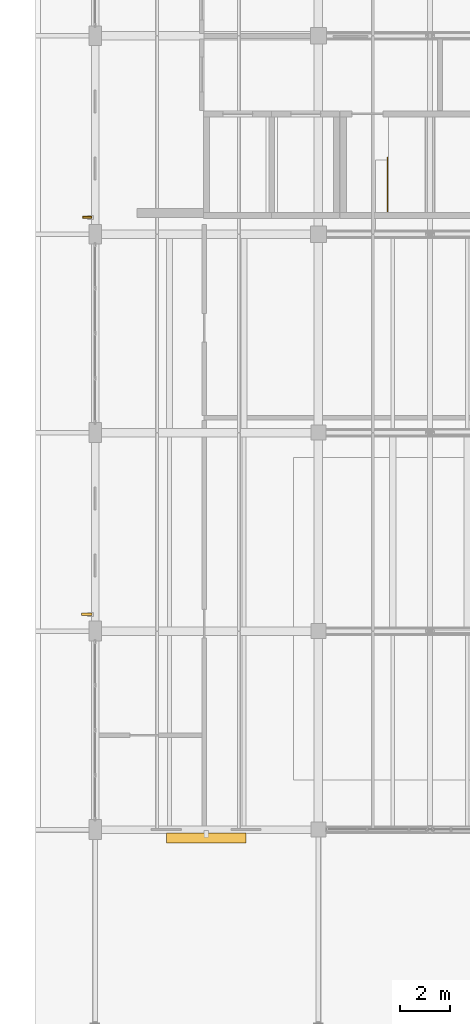
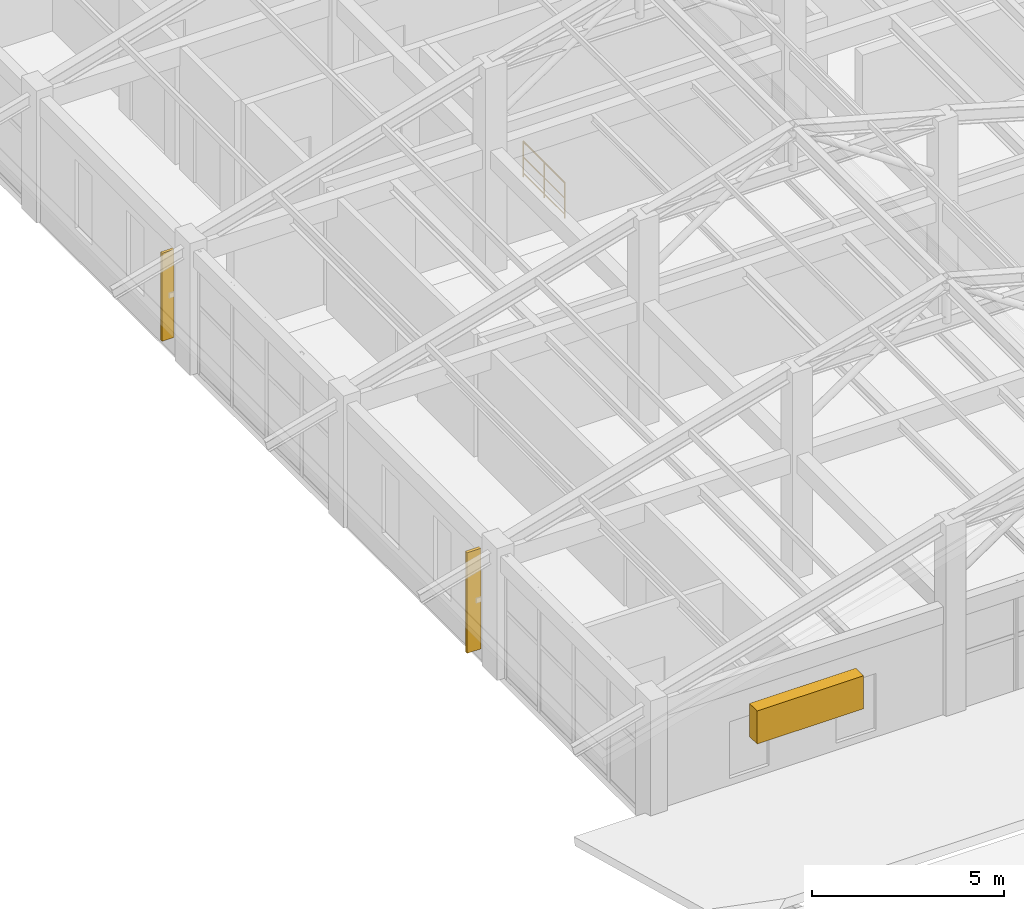
# One storey, part 54 of 58: 3 shading devices, 1 railing.
"""IFC4 building model written with IfcOpenShell, lengths in metres."""

import ifcopenshell
import ifcopenshell.guid

model = None  # the IFC model being written
_history = None  # IfcOwnerHistory: only IFC2X3 demands one
_inside = {}  # id of a spatial element -> (the spatial element, [elements in it])
_under = {}  # id of a project, library or spatial element -> (it, [spatial elements below it])
_declared = {}  # id of a project -> (the project, [libraries it declares])
_typed = {}  # id of a type object -> (the type object, [elements of that type])
_made_of = {}  # id of a material, layer set ... -> (it, [elements and type objects made of it])


def new_model(schema):
    """Start an empty IFC model of exactly this schema.

    Asked for "IFC4X3", IfcOpenShell would pick the latest addendum, in which some entities
    have other attributes; the version numbers below select the first issue.
    IFC2X3 requires an IfcOwnerHistory on every rooted entity: one is made here for all.
    """
    global model, _history
    if schema == "IFC4X3":
        model = ifcopenshell.file(schema_version=(4, 3, 0, 0))
    else:
        model = ifcopenshell.file(schema=schema)
    _inside.clear()
    _under.clear()
    _declared.clear()
    _typed.clear()
    _made_of.clear()
    _history = None
    if model.schema == "IFC2X3":
        org = make("IfcOrganization", Name="unknown")
        user = make(
            "IfcPersonAndOrganization",
            ThePerson=make("IfcPerson", FamilyName="unknown"),
            TheOrganization=org,
        )
        app = make(
            "IfcApplication",
            ApplicationDeveloper=org,
            Version="unknown",
            ApplicationFullName="unknown",
            ApplicationIdentifier="unknown",
        )
        _history = make(
            "IfcOwnerHistory",
            OwningUser=user,
            OwningApplication=app,
            ChangeAction="ADDED",
            CreationDate=0,
        )
    return model


def make(cls, **values):
    """One entity of the class cls with the attributes given. An attribute that is None is left unset."""
    return model.create_entity(
        cls, **{name: value for name, value in values.items() if value is not None}
    )


def rooted(cls, **values):
    """An entity with a GlobalId (a new one), such as an element, a storey or a relation."""
    return make(cls, GlobalId=ifcopenshell.guid.new(), OwnerHistory=_history, **values)


def si_unit(unit_type, name, prefix=None):
    """IfcSIUnit, for example si_unit("LENGTHUNIT", "METRE", prefix="MILLI")."""
    return make("IfcSIUnit", UnitType=unit_type, Prefix=prefix, Name=name)


def derived_unit(unit_type, elements):
    """IfcDerivedUnit: a product of units, each with its exponent."""
    return make(
        "IfcDerivedUnit",
        Elements=[
            make("IfcDerivedUnitElement", Unit=unit, Exponent=power)
            for unit, power in elements
        ],
        UnitType=unit_type,
    )


def assignment(units):
    """IfcUnitAssignment: the units of a project."""
    return None if units is None else make("IfcUnitAssignment", Units=units)


def point(xyz):
    """IfcCartesianPoint."""
    return None if xyz is None else make("IfcCartesianPoint", Coordinates=xyz)


def direction(xyz):
    """IfcDirection."""
    return None if xyz is None else make("IfcDirection", DirectionRatios=xyz)


def frame(location, z_axis=None, x_axis=None):
    """IfcAxis2Placement3D, a coordinate frame: its origin and axes. An axis left out is left unset."""
    return make(
        "IfcAxis2Placement3D",
        Location=point(location),
        Axis=direction(z_axis),
        RefDirection=direction(x_axis),
    )


def frame_2d(location, x_axis=None):
    """IfcAxis2Placement2D, a coordinate frame in the plane: its origin and x axis."""
    return make(
        "IfcAxis2Placement2D", Location=point(location), RefDirection=direction(x_axis)
    )


def origin():
    """The frame at (0, 0, 0) with its axes left unset."""
    return frame((0.0, 0.0, 0.0))


def origin_2d():
    """The frame at (0, 0) in the plane with its x axis left unset."""
    return frame_2d((0.0, 0.0))


def place(relative_to, where):
    """IfcLocalPlacement: puts the frame where relative to a parent placement (None: the world)."""
    return make(
        "IfcLocalPlacement", PlacementRelTo=relative_to, RelativePlacement=where
    )


def context(
    kind, dimensions, precision=None, world=None, true_north=None, identifier=None
):
    """IfcGeometricRepresentationContext, for example the 3D "Model" context."""
    return make(
        "IfcGeometricRepresentationContext",
        ContextIdentifier=identifier,
        ContextType=kind,
        CoordinateSpaceDimension=dimensions,
        Precision=precision,
        WorldCoordinateSystem=world,
        TrueNorth=true_north,
    )


def subcontext(parent, identifier, kind, view, scale=None):
    """IfcGeometricRepresentationSubContext, for example "Body" below "Model"."""
    return make(
        "IfcGeometricRepresentationSubContext",
        ContextIdentifier=identifier,
        ContextType=kind,
        ParentContext=parent,
        TargetScale=scale,
        TargetView=view,
    )


def project(units=None, contexts=None):
    """IfcProject with its units and contexts."""
    return rooted(
        "IfcProject",
        Name="project",
        RepresentationContexts=contexts,
        UnitsInContext=assignment(units),
    )


def spatial(cls, under=None, at=None, **own):
    """A site, building, storey or space (cls), placed at a placement, below another one or the project."""
    s = rooted(cls, ObjectPlacement=at, **own)
    if under is not None:
        _under.setdefault(under.id(), (under, []))[1].append(s)
    return s


def profile(cls, at=None, kind="AREA", **sizes):
    """A parametric profile (cls). Its sizes go by their IFC names, for example OverallWidth=200.0."""
    return make(cls, ProfileType=kind, Position=at, **sizes)


def rectangle(**sizes):
    """IfcRectangleProfileDef."""
    return profile("IfcRectangleProfileDef", **sizes)


def circle(**sizes):
    """IfcCircleProfileDef."""
    return profile("IfcCircleProfileDef", **sizes)


def extrude(swept, where, along, depth):
    """IfcExtrudedAreaSolid: the profile swept, set in the frame where, extruded along a direction by depth."""
    return make(
        "IfcExtrudedAreaSolid",
        SweptArea=swept,
        Position=where,
        ExtrudedDirection=direction(along),
        Depth=depth,
    )


def shape(context_of_items, identifier, shape_type, items):
    """IfcShapeRepresentation: the items that make up one representation, for example the "Body"."""
    return make(
        "IfcShapeRepresentation",
        ContextOfItems=context_of_items,
        RepresentationIdentifier=identifier,
        RepresentationType=shape_type,
        Items=items,
    )


def material(Name=None, Category=None):
    """IfcMaterial."""
    return make("IfcMaterial", Name=Name, Category=Category)


def made_of(thing, what):
    """Note that an element or type object is made of a material, layer set ...; save() writes the relation."""
    if what is not None:
        _made_of.setdefault(what.id(), (what, []))[1].append(thing)
    return thing


def type_object(cls, material=None, **own):
    """A type object (cls), such as IfcWallType, which elements share."""
    return made_of(rooted(cls, **own), material)


def element(
    cls,
    number,
    at=None,
    inside=None,
    cuts=None,
    type_object=None,
    material=None,
    context=None,
    identifier="Body",
    shape_type=None,
    held_by="IfcProductDefinitionShape",
    body=None,
    shapes=None,
    **own,
):
    """One element of the class cls, such as IfcWall. Its Tag is "e" and its number.

    at: its placement. inside: the storey or other place that contains it. cuts: it is an
    opening in that element (IfcRelVoidsElement). A single representation is given by context,
    identifier, shape_type and body (its items); several are given by shapes. held_by: the class
    of the entity that holds the representations. save() writes the other relations.
    """
    e = rooted(cls, Tag="e%d" % number, ObjectPlacement=at, **own)
    if body is not None:
        shapes = [shape(context, identifier, shape_type, body)]
    if shapes is not None:
        e.Representation = make(held_by, Representations=shapes)
    if inside is not None:
        _inside.setdefault(inside.id(), (inside, []))[1].append(e)
    if cuts is not None:
        rooted(
            "IfcRelVoidsElement", RelatingBuildingElement=cuts, RelatedOpeningElement=e
        )
    if type_object is not None:
        _typed.setdefault(type_object.id(), (type_object, []))[1].append(e)
    return made_of(e, material)


def aggregate(whole, parts):
    """IfcRelAggregates: a whole, such as a stair, and the parts it consists of."""
    return rooted("IfcRelAggregates", RelatingObject=whole, RelatedObjects=parts)


def save(model, path):
    """Write the relations noted so far, then the file.

    IfcRelAggregates (storeys below a building ...), IfcRelContainedInSpatialStructure (elements
    in a storey), IfcRelDefinesByType, IfcRelAssociatesMaterial and IfcRelDeclares: one each for
    every whole, place, type object, material and project.
    """
    for whole, parts in _under.values():
        aggregate(whole, parts)
    for where, things in _inside.values():
        rooted(
            "IfcRelContainedInSpatialStructure",
            RelatedElements=things,
            RelatingStructure=where,
        )
    for kind, things in _typed.values():
        rooted("IfcRelDefinesByType", RelatedObjects=things, RelatingType=kind)
    for what, things in _made_of.values():
        rooted("IfcRelAssociatesMaterial", RelatedObjects=things, RelatingMaterial=what)
    for by, libraries in _declared.values():
        rooted("IfcRelDeclares", RelatingContext=by, RelatedDefinitions=libraries)
    model.write(path)


model = new_model("IFC4")

# Units and contexts
model_context = context("Model", 3, precision=1e-05, world=origin(), true_north=direction((0.0, 1.0)))
body_context = subcontext(model_context, "Body", "Model", "MODEL_VIEW")
ifc_project = project(units=[si_unit("LENGTHUNIT", "METRE"), si_unit("AREAUNIT", "SQUARE_METRE"), si_unit("VOLUMEUNIT", "CUBIC_METRE"), si_unit("PLANEANGLEUNIT", "RADIAN"), si_unit("MASSUNIT", "GRAM", prefix="KILO"), derived_unit("THERMALTRANSMITTANCEUNIT", [(si_unit("MASSUNIT", "GRAM", prefix="KILO"), 1), (si_unit("TIMEUNIT", "SECOND"), -3), (si_unit("THERMODYNAMICTEMPERATUREUNIT", "KELVIN"), -1)])], contexts=[model_context])

# Site, building, storey
site_placement = place(None, origin())
site = spatial("IfcSite", under=ifc_project, at=site_placement, CompositionType="ELEMENT")
building_placement = place(site_placement, origin())
building = spatial("IfcBuilding", under=site, at=building_placement, Name="Zhenchuan Archway Interchange", CompositionType="ELEMENT")
storey_placement = place(building_placement, frame((0.0, 0.0, 22.800048828125)))
storey = spatial("IfcBuildingStorey", under=building, at=storey_placement, Name="L05", CompositionType="ELEMENT", Elevation=22.800048828125)

# Railing
ifc_material_1 = material(Name="Painted Galvanised Steel", Category="steel")
railing_type = type_object("IfcRailingType", Name="RL_GUARD_1150", PredefinedType="GUARDRAIL", material=ifc_material_1)
railing_placement = place(storey_placement, frame((155.784912109375, 48.9150390625, 0.0)))
element("IfcRailing", 1, at=railing_placement, inside=storey, type_object=railing_type, Name="Stair ST-O2 top landing guard (L05)", PredefinedType="GUARDRAIL", context=body_context, shape_type="SweptSolid", body=[
    extrude(circle(Radius=0.02392578125, at=origin_2d()), frame((0.0, 0.0, 1.1259765625), z_axis=(0.0, 1.0, 0.0), x_axis=(-1.0, 0.0, 0.0)), (0.0, 0.0, 1.0), 2.169921875),
    extrude(circle(Radius=0.01611328125, at=origin_2d()), frame((0.0, 0.0, 0.63232421875), z_axis=(0.0, 1.0, 0.0), x_axis=(-1.0, 0.0, 0.0)), (0.0, 0.0, 1.0), 2.169921875),
    extrude(circle(Radius=0.01611328125, at=origin_2d()), frame((0.0, 0.0, 0.1201171875), z_axis=(0.0, 1.0, 0.0), x_axis=(-1.0, 0.0, 0.0)), (0.0, 0.0, 1.0), 2.169921875),
    extrude(circle(Radius=0.02099609375, at=origin_2d()), origin(), (0.0, 0.0, 1.0), 1.1259765625),
    extrude(circle(Radius=0.02099609375, at=origin_2d()), frame((0.0, 1.0849609375, 0.0)), (0.0, 0.0, 1.0), 1.1259765625),
    extrude(circle(Radius=0.02099609375, at=origin_2d()), frame((0.0, 2.169921875, 0.0)), (0.0, 0.0, 1.0), 1.1259765625),
])

# Shading devices
ifc_material_2 = material(Name="Terracotta Ceramic", Category="masonry")
shading_device_type_1 = type_object("IfcShadingDeviceType", Name="SHD_FIN_1", PredefinedType="USERDEFINED", material=ifc_material_2)
shading_device_1_placement = place(storey_placement, frame((143.656005859375, 32.677978515625, 0.35009765625), z_axis=(0.0, 0.0, 1.0), x_axis=(0.0, 1.0, 0.0)))
element("IfcShadingDevice", 2, at=shading_device_1_placement, inside=storey, type_object=shading_device_type_1, Name="Terracotta vertical solar fin L05-141", ObjectType="FINS", PredefinedType="USERDEFINED", context=body_context, shape_type="SweptSolid", body=[
    extrude(rectangle(XDim=0.090087890625, YDim=0.419921875, at=origin_2d()), origin(), (0.0, 0.0, 1.0), 3.199951171875),
])
shading_device_type_2 = type_object("IfcShadingDeviceType", Name="SHD_FIN_2", PredefinedType="USERDEFINED", material=ifc_material_2)
shading_device_2_placement = place(storey_placement, frame((143.68603515625, 48.677978515625, 0.5498046875), z_axis=(0.0, 0.0, 1.0), x_axis=(0.0, 1.0, 0.0)))
element("IfcShadingDevice", 3, at=shading_device_2_placement, inside=storey, type_object=shading_device_type_2, Name="Terracotta vertical solar fin L05-142", ObjectType="FINS", PredefinedType="USERDEFINED", context=body_context, shape_type="SweptSolid", body=[
    extrude(rectangle(XDim=0.080078125, YDim=0.360107421875, at=origin_2d()), origin(), (0.0, 0.0, 1.0), 2.800048828125),
])
ifc_material_3 = material(Name="Anodised Aluminium", Category="aluminium")
shading_device_type_3 = type_object("IfcShadingDeviceType", Name="SHD_LOUVRE_3", PredefinedType="JALOUSIE", material=ifc_material_3)
shading_device_3_placement = place(storey_placement, frame((148.47509765625, 23.666015625, 1.82470703125), z_axis=(0.0, 0.0, 1.0), x_axis=(-1.0, 0.0, 0.0)))
element("IfcShadingDevice", 4, at=shading_device_3_placement, inside=storey, type_object=shading_device_type_3, Name="Monsoon storm-louvre jalousie L05-140", PredefinedType="JALOUSIE", context=body_context, shape_type="SweptSolid", body=[
    extrude(rectangle(XDim=3.199951171875, YDim=0.39990234375, at=origin_2d()), origin(), (0.0, 0.0, 1.0), 1.050048828125),
])

save(model, "model.ifc")
